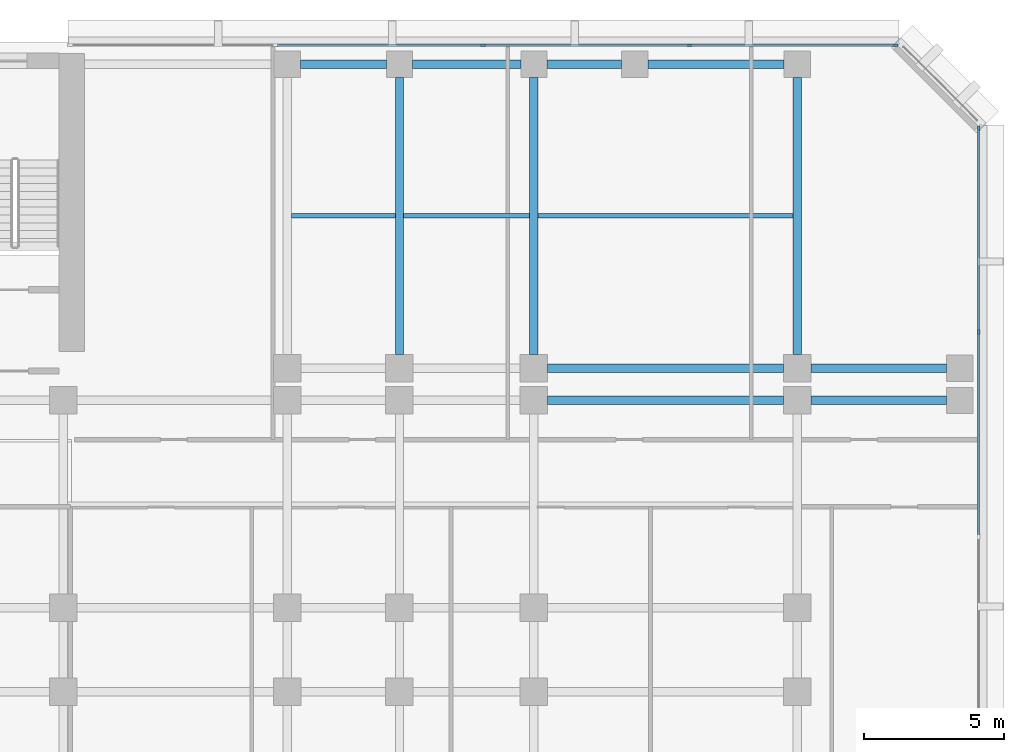
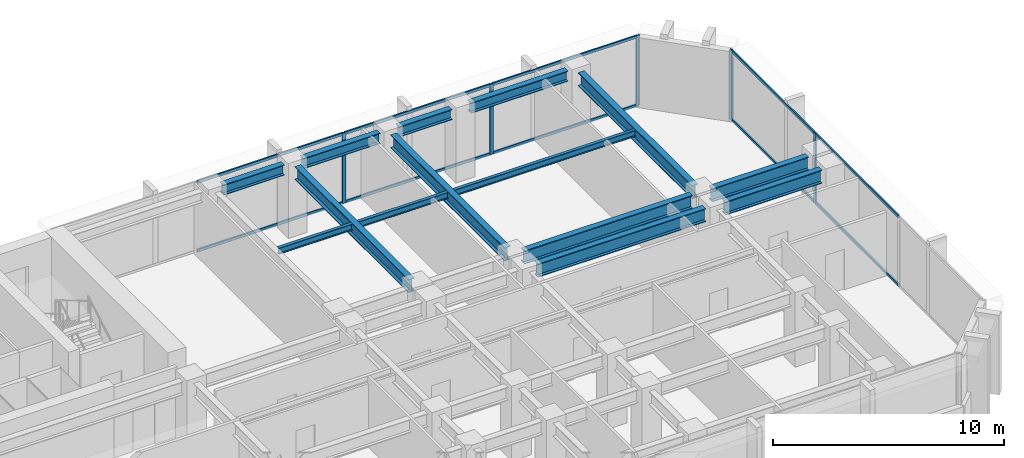
# One storey, part 5 of 13: 15 members, 14 beams, 2 elements without a shape of their own.
"""IFC4 building model written with IfcOpenShell, lengths in metres."""

from ifc_helpers import new_model, si_unit, direction, frame, origin, origin_2d, place, context, subcontext, project, spatial, rectangle, i_section, extrude, material, layer, layer_set, material_profile, profile_set, type_object, element, aggregate, save


model = new_model("IFC4")

# Units and contexts
model_context = context("Model", 3, precision=1e-05, world=origin(), true_north=direction((0.0, 1.0)))
body_context = subcontext(model_context, "Body", "Model", "MODEL_VIEW")
ifc_project = project(units=[si_unit("LENGTHUNIT", "METRE"), si_unit("AREAUNIT", "SQUARE_METRE"), si_unit("VOLUMEUNIT", "CUBIC_METRE"), si_unit("PLANEANGLEUNIT", "RADIAN"), si_unit("MASSUNIT", "GRAM", prefix="KILO")], contexts=[model_context])

# Site, building, storey
site_placement = place(None, origin())
site = spatial("IfcSite", under=ifc_project, at=site_placement, CompositionType="ELEMENT")
building_placement = place(site_placement, origin())
building = spatial("IfcBuilding", under=site, at=building_placement, Name="Kefirva Bronze Tower", CompositionType="ELEMENT")
storey_placement = place(building_placement, frame((0.0, 0.0, 58.080078125)))
storey = spatial("IfcBuildingStorey", under=building, at=storey_placement, Name="L13", CompositionType="ELEMENT", Elevation=58.080078125)

# Curtain wall, members
ifc_material_1 = material(Name="Bronze anodised aluminium", Category="aluminium")
ifc_layer = layer(ifc_material_1, 0.199951171875, Name="Bronze anodised aluminium")
ifc_layer_set = layer_set([ifc_layer], Name="Bronze anodised aluminium")
curtain_wall_type = type_object("IfcCurtainWallType", Name="Unitised Bronze Ribbon Curtain Wall Zone 1", PredefinedType="USERDEFINED", material=ifc_layer_set)
curtain_wall_1_placement = place(storey_placement, origin())
curtain_wall_1 = element("IfcCurtainWall", 1, at=curtain_wall_1_placement, inside=storey, type_object=curtain_wall_type, Name="L13 Curtain Wall 3", ObjectType="UNITISED CURTAIN WALL", PredefinedType="USERDEFINED")
ifc_material_profile_1 = material_profile(ifc_material_1, rectangle(XDim=0.074951171875, YDim=0.179931640625, at=origin_2d()), Name="ALU 75x180")
ifc_profile_set_1 = profile_set([ifc_material_profile_1], Name="Bronze anodised aluminium")
member_type_1 = type_object("IfcMemberType", Name="Bronze Mullion 75x180", PredefinedType="MULLION", material=ifc_profile_set_1)
member_1_placement = place(storey_placement, frame((55.8798828125, 35.6484375, 0.0), z_axis=(0.0, 0.0, 1.0), x_axis=(-1.0, 0.0, 0.0)))
member_1 = element("IfcMember", 2, at=member_1_placement, type_object=member_type_1, Name="CW-01 mullion 3", PredefinedType="MULLION", context=body_context, shape_type="SweptSolid", body=[
    extrude(rectangle(XDim=0.074951171875, YDim=0.179931640625, at=origin_2d()), origin(), (0.0, 0.0, 1.0), 3.7099609375),
])
member_2_placement = place(storey_placement, frame((55.8798828125, 42.907470703125, 0.0), z_axis=(0.0, 0.0, 1.0), x_axis=(-1.0, 0.0, 0.0)))
member_2 = element("IfcMember", 3, at=member_2_placement, type_object=member_type_1, Name="CW-01 mullion 4", PredefinedType="MULLION", context=body_context, shape_type="SweptSolid", body=[
    extrude(rectangle(XDim=0.074951171875, YDim=0.179931640625, at=origin_2d()), origin(), (0.0, 0.0, 1.0), 3.7099609375),
])

curtain_wall_2_placement = place(storey_placement, origin())
curtain_wall_2 = element("IfcCurtainWall", 4, at=curtain_wall_2_placement, inside=storey, type_object=curtain_wall_type, Name="L13 Curtain Wall 4", ObjectType="UNITISED CURTAIN WALL", PredefinedType="USERDEFINED")
member_3_placement = place(storey_placement, frame((52.907470703125, 45.8798828125, 0.0), z_axis=(0.0, 0.0, 1.0), x_axis=(0.0, -1.0, 0.0)))
member_3 = element("IfcMember", 5, at=member_3_placement, type_object=member_type_1, Name="CW-01 mullion 1", PredefinedType="MULLION", context=body_context, shape_type="SweptSolid", body=[
    extrude(rectangle(XDim=0.074951171875, YDim=0.179931640625, at=origin_2d()), origin(), (0.0, 0.0, 1.0), 3.7099609375),
])
member_4_placement = place(storey_placement, frame((45.56005859375, 45.8798828125, 0.0), z_axis=(0.0, 0.0, 1.0), x_axis=(0.0, -1.0, 0.0)))
member_4 = element("IfcMember", 6, at=member_4_placement, type_object=member_type_1, Name="CW-01 mullion 2", PredefinedType="MULLION", context=body_context, shape_type="SweptSolid", body=[
    extrude(rectangle(XDim=0.074951171875, YDim=0.179931640625, at=origin_2d()), origin(), (0.0, 0.0, 1.0), 3.7099609375),
])
member_5_placement = place(storey_placement, frame((38.175048828125, 45.8798828125, 0.0), z_axis=(0.0, 0.0, 1.0), x_axis=(0.0, -1.0, 0.0)))
member_5 = element("IfcMember", 7, at=member_5_placement, type_object=member_type_1, Name="CW-01 mullion 3", PredefinedType="MULLION", context=body_context, shape_type="SweptSolid", body=[
    extrude(rectangle(XDim=0.074951171875, YDim=0.179931640625, at=origin_2d()), origin(), (0.0, 0.0, 1.0), 3.7099609375),
])

# Member
ifc_material_profile_2 = material_profile(ifc_material_1, rectangle(XDim=0.074951171875, YDim=0.14990234375, at=origin_2d()), Name="ALU 75x150")
ifc_profile_set_2 = profile_set([ifc_material_profile_2], Name="Bronze anodised aluminium")
member_type_2 = type_object("IfcMemberType", Name="Bronze Transom 75x150", PredefinedType="USERDEFINED", material=ifc_profile_set_2)
member_6_placement = place(storey_placement, frame((55.8798828125, 28.38916015625, 0.037353515625), z_axis=(0.0, 1.0, 0.0), x_axis=(-1.0, 0.0, 0.0)))
member_6 = element("IfcMember", 8, at=member_6_placement, type_object=member_type_2, Name="CW-01 transom 2.1", ObjectType="TRANSOM", PredefinedType="USERDEFINED", context=body_context, shape_type="SweptSolid", body=[
    extrude(rectangle(XDim=0.074951171875, YDim=0.14990234375, at=origin_2d()), origin(), (0.0, 0.0, 1.0), 7.2216796875),
])

member_7_placement = place(storey_placement, frame((55.8798828125, 28.38916015625, 3.67236328125), z_axis=(0.0, 1.0, 0.0), x_axis=(-1.0, 0.0, 0.0)))
member_7 = element("IfcMember", 9, at=member_7_placement, type_object=member_type_2, Name="CW-01 transom 2.2", ObjectType="TRANSOM", PredefinedType="USERDEFINED", context=body_context, shape_type="SweptSolid", body=[
    extrude(rectangle(XDim=0.074951171875, YDim=0.14990234375, at=origin_2d()), origin(), (0.0, 0.0, 1.0), 7.2216796875),
])

member_8_placement = place(storey_placement, frame((55.8798828125, 35.685791015625, 0.037353515625), z_axis=(0.0, 1.0, 0.0), x_axis=(-1.0, 0.0, 0.0)))
member_8 = element("IfcMember", 10, at=member_8_placement, type_object=member_type_2, Name="CW-01 transom 3.1", ObjectType="TRANSOM", PredefinedType="USERDEFINED", context=body_context, shape_type="SweptSolid", body=[
    extrude(rectangle(XDim=0.074951171875, YDim=0.14990234375, at=origin_2d()), origin(), (0.0, 0.0, 1.0), 7.184326171875),
])

member_9_placement = place(storey_placement, frame((55.8798828125, 35.685791015625, 3.67236328125), z_axis=(0.0, 1.0, 0.0), x_axis=(-1.0, 0.0, 0.0)))
member_9 = element("IfcMember", 11, at=member_9_placement, type_object=member_type_2, Name="CW-01 transom 3.2", ObjectType="TRANSOM", PredefinedType="USERDEFINED", context=body_context, shape_type="SweptSolid", body=[
    extrude(rectangle(XDim=0.074951171875, YDim=0.14990234375, at=origin_2d()), origin(), (0.0, 0.0, 1.0), 7.184326171875),
])

aggregate(curtain_wall_1, [member_1, member_2, member_6, member_7, member_8, member_9])

member_10_placement = place(storey_placement, frame((52.8701171875, 45.8798828125, 0.037353515625), z_axis=(-1.0, 0.0, 0.0), x_axis=(0.0, -1.0, 0.0)))
member_10 = element("IfcMember", 12, at=member_10_placement, type_object=member_type_2, Name="CW-01 transom 1.1", ObjectType="TRANSOM", PredefinedType="USERDEFINED", context=body_context, shape_type="SweptSolid", body=[
    extrude(rectangle(XDim=0.074951171875, YDim=0.14990234375, at=origin_2d()), origin(), (0.0, 0.0, 1.0), 7.272705078125),
])

member_11_placement = place(storey_placement, frame((52.8701171875, 45.8798828125, 3.67236328125), z_axis=(-1.0, 0.0, 0.0), x_axis=(0.0, -1.0, 0.0)))
member_11 = element("IfcMember", 13, at=member_11_placement, type_object=member_type_2, Name="CW-01 transom 1.2", ObjectType="TRANSOM", PredefinedType="USERDEFINED", context=body_context, shape_type="SweptSolid", body=[
    extrude(rectangle(XDim=0.074951171875, YDim=0.14990234375, at=origin_2d()), origin(), (0.0, 0.0, 1.0), 7.272705078125),
])

member_12_placement = place(storey_placement, frame((45.5224609375, 45.8798828125, 0.037353515625), z_axis=(-1.0, 0.0, 0.0), x_axis=(0.0, -1.0, 0.0)))
member_12 = element("IfcMember", 14, at=member_12_placement, type_object=member_type_2, Name="CW-01 transom 2.1", ObjectType="TRANSOM", PredefinedType="USERDEFINED", context=body_context, shape_type="SweptSolid", body=[
    extrude(rectangle(XDim=0.074951171875, YDim=0.14990234375, at=origin_2d()), origin(), (0.0, 0.0, 1.0), 7.31005859375),
])

member_13_placement = place(storey_placement, frame((45.5224609375, 45.8798828125, 3.67236328125), z_axis=(-1.0, 0.0, 0.0), x_axis=(0.0, -1.0, 0.0)))
member_13 = element("IfcMember", 15, at=member_13_placement, type_object=member_type_2, Name="CW-01 transom 2.2", ObjectType="TRANSOM", PredefinedType="USERDEFINED", context=body_context, shape_type="SweptSolid", body=[
    extrude(rectangle(XDim=0.074951171875, YDim=0.14990234375, at=origin_2d()), origin(), (0.0, 0.0, 1.0), 7.31005859375),
])

member_14_placement = place(storey_placement, frame((38.137451171875, 45.8798828125, 0.037353515625), z_axis=(-1.0, 0.0, 0.0), x_axis=(0.0, -1.0, 0.0)))
member_14 = element("IfcMember", 16, at=member_14_placement, type_object=member_type_2, Name="CW-01 transom 3.1", ObjectType="TRANSOM", PredefinedType="USERDEFINED", context=body_context, shape_type="SweptSolid", body=[
    extrude(rectangle(XDim=0.074951171875, YDim=0.14990234375, at=origin_2d()), origin(), (0.0, 0.0, 1.0), 7.31005859375),
])

member_15_placement = place(storey_placement, frame((38.137451171875, 45.8798828125, 3.67236328125), z_axis=(-1.0, 0.0, 0.0), x_axis=(0.0, -1.0, 0.0)))
member_15 = element("IfcMember", 17, at=member_15_placement, type_object=member_type_2, Name="CW-01 transom 3.2", ObjectType="TRANSOM", PredefinedType="USERDEFINED", context=body_context, shape_type="SweptSolid", body=[
    extrude(rectangle(XDim=0.074951171875, YDim=0.14990234375, at=origin_2d()), origin(), (0.0, 0.0, 1.0), 7.31005859375),
])

aggregate(curtain_wall_2, [member_3, member_4, member_5, member_10, member_11, member_12, member_13, member_14, member_15])

# Beams
ifc_material_2 = material(Name="Steel S355", Category="steel")
ifc_material_profile_3 = material_profile(ifc_material_2, i_section(OverallWidth=0.159912109375, OverallDepth=0.330078125, WebThickness=0.007568359375, FlangeThickness=0.011474609375, at=origin_2d()), Name="IPE 330")
ifc_profile_set_3 = profile_set([ifc_material_profile_3], Name="Steel S355")
beam_type_1 = type_object("IfcBeamType", Name="Steel Floor Joist IPE 330", PredefinedType="JOIST", material=ifc_profile_set_3)
beam_1_placement = place(storey_placement, frame((31.35009765625, 39.784912109375, 3.544921875), z_axis=(1.0, 0.0, 0.0), x_axis=(0.0, 1.0, 0.0)))
element("IfcBeam", 18, at=beam_1_placement, inside=storey, type_object=beam_type_1, Name="L13 JST-L13-31-397", PredefinedType="JOIST", context=body_context, shape_type="SweptSolid", body=[
    extrude(i_section(OverallWidth=0.159912109375, OverallDepth=0.330078125, WebThickness=0.007568359375, FlangeThickness=0.011474609375, at=origin_2d()), origin(), (0.0, 0.0, 1.0), 3.699951171875),
])
beam_2_placement = place(storey_placement, frame((35.35009765625, 39.784912109375, 3.544921875), z_axis=(1.0, 0.0, 0.0), x_axis=(0.0, 1.0, 0.0)))
element("IfcBeam", 19, at=beam_2_placement, inside=storey, type_object=beam_type_1, Name="L13 JST-L13-35-397", PredefinedType="JOIST", context=body_context, shape_type="SweptSolid", body=[
    extrude(i_section(OverallWidth=0.159912109375, OverallDepth=0.330078125, WebThickness=0.007568359375, FlangeThickness=0.011474609375, at=origin_2d()), origin(), (0.0, 0.0, 1.0), 4.5),
])
beam_3_placement = place(storey_placement, frame((40.14990234375, 39.784912109375, 3.544921875), z_axis=(1.0, 0.0, 0.0), x_axis=(0.0, 1.0, 0.0)))
element("IfcBeam", 20, at=beam_3_placement, inside=storey, type_object=beam_type_1, Name="L13 JST-L13-40-397", PredefinedType="JOIST", context=body_context, shape_type="SweptSolid", body=[
    extrude(i_section(OverallWidth=0.159912109375, OverallDepth=0.330078125, WebThickness=0.007568359375, FlangeThickness=0.011474609375, at=origin_2d()), origin(), (0.0, 0.0, 1.0), 9.10009765625),
])
ifc_material_profile_4 = material_profile(ifc_material_2, i_section(OverallWidth=0.300048828125, OverallDepth=0.699951171875, WebThickness=0.01708984375, FlangeThickness=0.031982421875, at=origin_2d()), Name="HEB 700")
ifc_profile_set_4 = profile_set([ifc_material_profile_4], Name="Steel S355")
beam_type_2 = type_object("IfcBeamType", Name="Steel Girder HEB 700", PredefinedType="USERDEFINED", material=ifc_profile_set_4)
beam_4_placement = place(storey_placement, frame((40.489990234375, 33.199951171875, 3.35986328125), z_axis=(1.0, 0.0, 0.0), x_axis=(0.0, 1.0, 0.0)))
element("IfcBeam", 21, at=beam_4_placement, inside=storey, type_object=beam_type_2, Name="L13 BM-L13-EW-40-332", ObjectType="GIRDER", PredefinedType="USERDEFINED", context=body_context, shape_type="SweptSolid", body=[
    extrude(i_section(OverallWidth=0.300048828125, OverallDepth=0.699951171875, WebThickness=0.01708984375, FlangeThickness=0.031982421875, at=origin_2d()), origin(), (0.0, 0.0, 1.0), 8.419921875),
])
beam_5_placement = place(storey_placement, frame((49.889892578125, 33.199951171875, 3.35986328125), z_axis=(1.0, 0.0, 0.0), x_axis=(0.0, 1.0, 0.0)))
element("IfcBeam", 22, at=beam_5_placement, inside=storey, type_object=beam_type_2, Name="L13 BM-L13-EW-49-332", ObjectType="GIRDER", PredefinedType="USERDEFINED", context=body_context, shape_type="SweptSolid", body=[
    extrude(i_section(OverallWidth=0.300048828125, OverallDepth=0.699951171875, WebThickness=0.01708984375, FlangeThickness=0.031982421875, at=origin_2d()), origin(), (0.0, 0.0, 1.0), 4.840087890625),
])
beam_6_placement = place(storey_placement, frame((40.489990234375, 34.35009765625, 3.35986328125), z_axis=(1.0, 0.0, 0.0), x_axis=(0.0, 1.0, 0.0)))
element("IfcBeam", 23, at=beam_6_placement, inside=storey, type_object=beam_type_2, Name="L13 BM-L13-EW-40-344", ObjectType="GIRDER", PredefinedType="USERDEFINED", context=body_context, shape_type="SweptSolid", body=[
    extrude(i_section(OverallWidth=0.300048828125, OverallDepth=0.699951171875, WebThickness=0.01708984375, FlangeThickness=0.031982421875, at=origin_2d()), origin(), (0.0, 0.0, 1.0), 8.419921875),
])
beam_7_placement = place(storey_placement, frame((49.889892578125, 34.35009765625, 3.35986328125), z_axis=(1.0, 0.0, 0.0), x_axis=(0.0, 1.0, 0.0)))
element("IfcBeam", 24, at=beam_7_placement, inside=storey, type_object=beam_type_2, Name="L13 BM-L13-EW-49-344", ObjectType="GIRDER", PredefinedType="USERDEFINED", context=body_context, shape_type="SweptSolid", body=[
    extrude(i_section(OverallWidth=0.300048828125, OverallDepth=0.699951171875, WebThickness=0.01708984375, FlangeThickness=0.031982421875, at=origin_2d()), origin(), (0.0, 0.0, 1.0), 4.840087890625),
])
for number, where, z_axis, x_axis, name in (
    (25, (35.199951171875, 34.840087890625, 3.35986328125), (0.0, 1.0, 0.0), (-1.0, 0.0, 0.0), "L13 BM-L13-NS-352-34"),
    (26, (40.0, 34.840087890625, 3.35986328125), (0.0, 1.0, 0.0), (-1.0, 0.0, 0.0), "L13 BM-L13-NS-400-34"),
    (27, (49.39990234375, 34.840087890625, 3.35986328125), (0.0, 1.0, 0.0), (-1.0, 0.0, 0.0), "L13 BM-L13-NS-494-34"),
):
    element("IfcBeam", number, at=place(storey_placement, frame(where, z_axis=z_axis, x_axis=x_axis)), inside=storey, type_object=beam_type_2, Name=name, ObjectType="GIRDER", PredefinedType="USERDEFINED", context=body_context, shape_type="SweptSolid", body=[
        extrude(i_section(OverallWidth=0.300048828125, OverallDepth=0.699951171875, WebThickness=0.01708984375, FlangeThickness=0.031982421875, at=origin_2d()), origin(), (0.0, 0.0, 1.0), 9.889892578125),
    ])
ifc_material_profile_5 = material_profile(ifc_material_2, i_section(OverallWidth=0.300048828125, OverallDepth=0.550048828125, WebThickness=0.014892578125, FlangeThickness=0.029052734375, at=origin_2d()), Name="HEB 550")
ifc_profile_set_5 = profile_set([ifc_material_profile_5], Name="Steel S355")
beam_type_3 = type_object("IfcBeamType", Name="Steel Spandrel HEB 550 Ext", PredefinedType="SPANDREL", material=ifc_profile_set_5)
beam_8_placement = place(storey_placement, frame((31.669921875, 45.199951171875, 3.434814453125), z_axis=(1.0, 0.0, 0.0), x_axis=(0.0, 1.0, 0.0)))
element("IfcBeam", 28, at=beam_8_placement, inside=storey, type_object=beam_type_3, Name="L13 BM-L13-EW-31-452", PredefinedType="SPANDREL", context=body_context, shape_type="SweptSolid", body=[
    extrude(i_section(OverallWidth=0.300048828125, OverallDepth=0.550048828125, WebThickness=0.014892578125, FlangeThickness=0.029052734375, at=origin_2d()), origin(), (0.0, 0.0, 1.0), 3.06005859375),
])
beam_9_placement = place(storey_placement, frame((35.669921875, 45.199951171875, 3.434814453125), z_axis=(1.0, 0.0, 0.0), x_axis=(0.0, 1.0, 0.0)))
element("IfcBeam", 29, at=beam_9_placement, inside=storey, type_object=beam_type_3, Name="L13 BM-L13-EW-35-452", PredefinedType="SPANDREL", context=body_context, shape_type="SweptSolid", body=[
    extrude(i_section(OverallWidth=0.300048828125, OverallDepth=0.550048828125, WebThickness=0.014892578125, FlangeThickness=0.029052734375, at=origin_2d()), origin(), (0.0, 0.0, 1.0), 3.860107421875),
])
beam_10_placement = place(storey_placement, frame((40.469970703125, 45.199951171875, 3.434814453125), z_axis=(1.0, 0.0, 0.0), x_axis=(0.0, 1.0, 0.0)))
element("IfcBeam", 30, at=beam_10_placement, inside=storey, type_object=beam_type_3, Name="L13 BM-L13-EW-40-452", PredefinedType="SPANDREL", context=body_context, shape_type="SweptSolid", body=[
    extrude(i_section(OverallWidth=0.300048828125, OverallDepth=0.550048828125, WebThickness=0.014892578125, FlangeThickness=0.029052734375, at=origin_2d()), origin(), (0.0, 0.0, 1.0), 2.659912109375),
])
beam_11_placement = place(storey_placement, frame((44.070068359375, 45.199951171875, 3.434814453125), z_axis=(1.0, 0.0, 0.0), x_axis=(0.0, 1.0, 0.0)))
element("IfcBeam", 31, at=beam_11_placement, inside=storey, type_object=beam_type_3, Name="L13 BM-L13-EW-43-452", PredefinedType="SPANDREL", context=body_context, shape_type="SweptSolid", body=[
    extrude(i_section(OverallWidth=0.300048828125, OverallDepth=0.550048828125, WebThickness=0.014892578125, FlangeThickness=0.029052734375, at=origin_2d()), origin(), (0.0, 0.0, 1.0), 4.85986328125),
])

save(model, "model.ifc")
